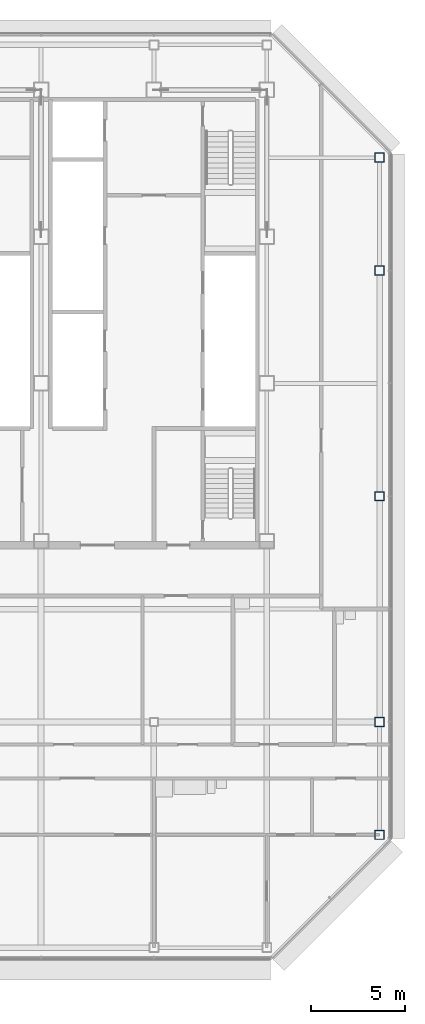
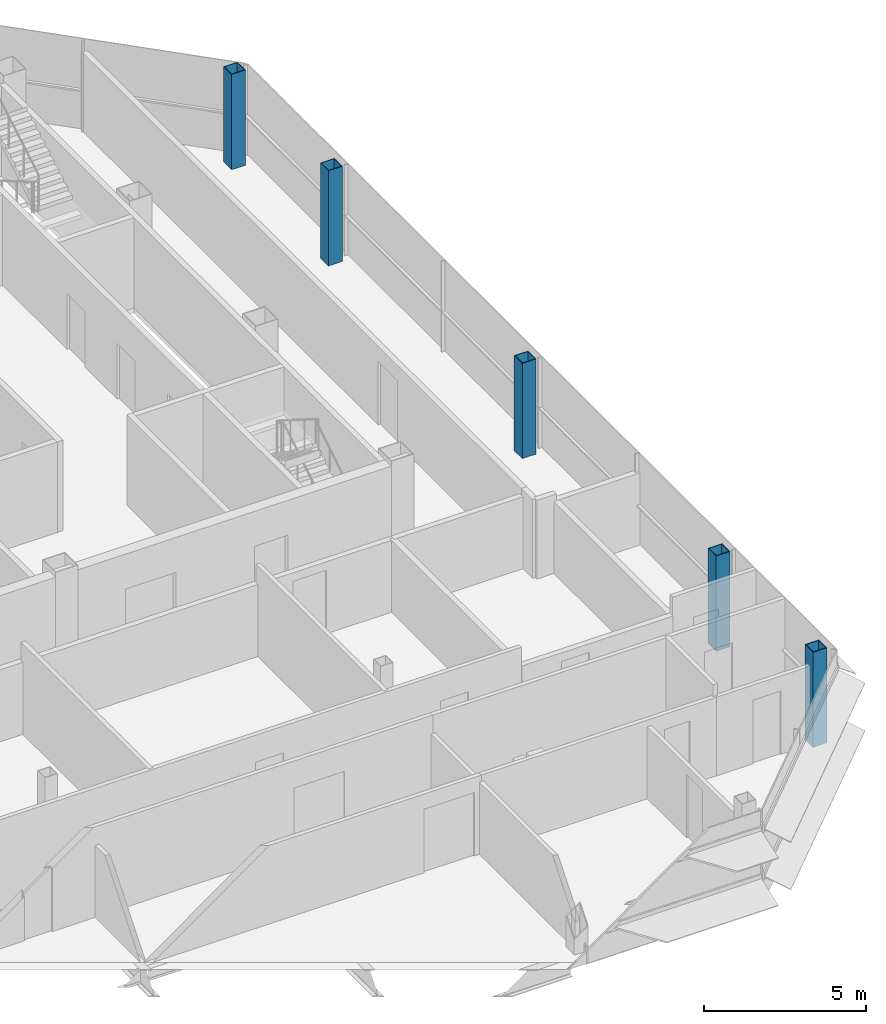
# One storey, part 3 of 27: 5 columns.
"""IFC4 building model written with IfcOpenShell, lengths in metres."""

import ifcopenshell
import ifcopenshell.guid

model = None  # the IFC model being written
_history = None  # IfcOwnerHistory: only IFC2X3 demands one
_inside = {}  # id of a spatial element -> (the spatial element, [elements in it])
_under = {}  # id of a project, library or spatial element -> (it, [spatial elements below it])
_declared = {}  # id of a project -> (the project, [libraries it declares])
_typed = {}  # id of a type object -> (the type object, [elements of that type])
_made_of = {}  # id of a material, layer set ... -> (it, [elements and type objects made of it])


def new_model(schema):
    """Start an empty IFC model of exactly this schema.

    Asked for "IFC4X3", IfcOpenShell would pick the latest addendum, in which some entities
    have other attributes; the version numbers below select the first issue.
    IFC2X3 requires an IfcOwnerHistory on every rooted entity: one is made here for all.
    """
    global model, _history
    if schema == "IFC4X3":
        model = ifcopenshell.file(schema_version=(4, 3, 0, 0))
    else:
        model = ifcopenshell.file(schema=schema)
    _inside.clear()
    _under.clear()
    _declared.clear()
    _typed.clear()
    _made_of.clear()
    _history = None
    if model.schema == "IFC2X3":
        org = make("IfcOrganization", Name="unknown")
        user = make(
            "IfcPersonAndOrganization",
            ThePerson=make("IfcPerson", FamilyName="unknown"),
            TheOrganization=org,
        )
        app = make(
            "IfcApplication",
            ApplicationDeveloper=org,
            Version="unknown",
            ApplicationFullName="unknown",
            ApplicationIdentifier="unknown",
        )
        _history = make(
            "IfcOwnerHistory",
            OwningUser=user,
            OwningApplication=app,
            ChangeAction="ADDED",
            CreationDate=0,
        )
    return model


def make(cls, **values):
    """One entity of the class cls with the attributes given. An attribute that is None is left unset."""
    return model.create_entity(
        cls, **{name: value for name, value in values.items() if value is not None}
    )


def rooted(cls, **values):
    """An entity with a GlobalId (a new one), such as an element, a storey or a relation."""
    return make(cls, GlobalId=ifcopenshell.guid.new(), OwnerHistory=_history, **values)


def si_unit(unit_type, name, prefix=None):
    """IfcSIUnit, for example si_unit("LENGTHUNIT", "METRE", prefix="MILLI")."""
    return make("IfcSIUnit", UnitType=unit_type, Prefix=prefix, Name=name)


def assignment(units):
    """IfcUnitAssignment: the units of a project."""
    return None if units is None else make("IfcUnitAssignment", Units=units)


def point(xyz):
    """IfcCartesianPoint."""
    return None if xyz is None else make("IfcCartesianPoint", Coordinates=xyz)


def direction(xyz):
    """IfcDirection."""
    return None if xyz is None else make("IfcDirection", DirectionRatios=xyz)


def frame(location, z_axis=None, x_axis=None):
    """IfcAxis2Placement3D, a coordinate frame: its origin and axes. An axis left out is left unset."""
    return make(
        "IfcAxis2Placement3D",
        Location=point(location),
        Axis=direction(z_axis),
        RefDirection=direction(x_axis),
    )


def frame_2d(location, x_axis=None):
    """IfcAxis2Placement2D, a coordinate frame in the plane: its origin and x axis."""
    return make(
        "IfcAxis2Placement2D", Location=point(location), RefDirection=direction(x_axis)
    )


def origin():
    """The frame at (0, 0, 0) with its axes left unset."""
    return frame((0.0, 0.0, 0.0))


def origin_2d():
    """The frame at (0, 0) in the plane with its x axis left unset."""
    return frame_2d((0.0, 0.0))


def place(relative_to, where):
    """IfcLocalPlacement: puts the frame where relative to a parent placement (None: the world)."""
    return make(
        "IfcLocalPlacement", PlacementRelTo=relative_to, RelativePlacement=where
    )


def context(
    kind, dimensions, precision=None, world=None, true_north=None, identifier=None
):
    """IfcGeometricRepresentationContext, for example the 3D "Model" context."""
    return make(
        "IfcGeometricRepresentationContext",
        ContextIdentifier=identifier,
        ContextType=kind,
        CoordinateSpaceDimension=dimensions,
        Precision=precision,
        WorldCoordinateSystem=world,
        TrueNorth=true_north,
    )


def subcontext(parent, identifier, kind, view, scale=None):
    """IfcGeometricRepresentationSubContext, for example "Body" below "Model"."""
    return make(
        "IfcGeometricRepresentationSubContext",
        ContextIdentifier=identifier,
        ContextType=kind,
        ParentContext=parent,
        TargetScale=scale,
        TargetView=view,
    )


def project(units=None, contexts=None):
    """IfcProject with its units and contexts."""
    return rooted(
        "IfcProject",
        Name="project",
        RepresentationContexts=contexts,
        UnitsInContext=assignment(units),
    )


def spatial(cls, under=None, at=None, **own):
    """A site, building, storey or space (cls), placed at a placement, below another one or the project."""
    s = rooted(cls, ObjectPlacement=at, **own)
    if under is not None:
        _under.setdefault(under.id(), (under, []))[1].append(s)
    return s


def profile(cls, at=None, kind="AREA", **sizes):
    """A parametric profile (cls). Its sizes go by their IFC names, for example OverallWidth=200.0."""
    return make(cls, ProfileType=kind, Position=at, **sizes)


def hollow_rectangle(**sizes):
    """IfcRectangleHollowProfileDef."""
    return profile("IfcRectangleHollowProfileDef", **sizes)


def extrude(swept, where, along, depth):
    """IfcExtrudedAreaSolid: the profile swept, set in the frame where, extruded along a direction by depth."""
    return make(
        "IfcExtrudedAreaSolid",
        SweptArea=swept,
        Position=where,
        ExtrudedDirection=direction(along),
        Depth=depth,
    )


def shape(context_of_items, identifier, shape_type, items):
    """IfcShapeRepresentation: the items that make up one representation, for example the "Body"."""
    return make(
        "IfcShapeRepresentation",
        ContextOfItems=context_of_items,
        RepresentationIdentifier=identifier,
        RepresentationType=shape_type,
        Items=items,
    )


def material(Name=None, Category=None):
    """IfcMaterial."""
    return make("IfcMaterial", Name=Name, Category=Category)


def material_profile(
    of_material, cross_section, Name=None, Category=None, Priority=None
):
    """IfcMaterialProfile: a cross section and its material."""
    return make(
        "IfcMaterialProfile",
        Name=Name,
        Material=of_material,
        Profile=cross_section,
        Priority=Priority,
        Category=Category,
    )


def profile_set(profiles, Name=None, composite=None):
    """IfcMaterialProfileSet."""
    return make(
        "IfcMaterialProfileSet",
        Name=Name,
        MaterialProfiles=profiles,
        CompositeProfile=composite,
    )


def made_of(thing, what):
    """Note that an element or type object is made of a material, layer set ...; save() writes the relation."""
    if what is not None:
        _made_of.setdefault(what.id(), (what, []))[1].append(thing)
    return thing


def type_object(cls, material=None, **own):
    """A type object (cls), such as IfcWallType, which elements share."""
    return made_of(rooted(cls, **own), material)


def element(
    cls,
    number,
    at=None,
    inside=None,
    cuts=None,
    type_object=None,
    material=None,
    context=None,
    identifier="Body",
    shape_type=None,
    held_by="IfcProductDefinitionShape",
    body=None,
    shapes=None,
    **own,
):
    """One element of the class cls, such as IfcWall. Its Tag is "e" and its number.

    at: its placement. inside: the storey or other place that contains it. cuts: it is an
    opening in that element (IfcRelVoidsElement). A single representation is given by context,
    identifier, shape_type and body (its items); several are given by shapes. held_by: the class
    of the entity that holds the representations. save() writes the other relations.
    """
    e = rooted(cls, Tag="e%d" % number, ObjectPlacement=at, **own)
    if body is not None:
        shapes = [shape(context, identifier, shape_type, body)]
    if shapes is not None:
        e.Representation = make(held_by, Representations=shapes)
    if inside is not None:
        _inside.setdefault(inside.id(), (inside, []))[1].append(e)
    if cuts is not None:
        rooted(
            "IfcRelVoidsElement", RelatingBuildingElement=cuts, RelatedOpeningElement=e
        )
    if type_object is not None:
        _typed.setdefault(type_object.id(), (type_object, []))[1].append(e)
    return made_of(e, material)


def aggregate(whole, parts):
    """IfcRelAggregates: a whole, such as a stair, and the parts it consists of."""
    return rooted("IfcRelAggregates", RelatingObject=whole, RelatedObjects=parts)


def save(model, path):
    """Write the relations noted so far, then the file.

    IfcRelAggregates (storeys below a building ...), IfcRelContainedInSpatialStructure (elements
    in a storey), IfcRelDefinesByType, IfcRelAssociatesMaterial and IfcRelDeclares: one each for
    every whole, place, type object, material and project.
    """
    for whole, parts in _under.values():
        aggregate(whole, parts)
    for where, things in _inside.values():
        rooted(
            "IfcRelContainedInSpatialStructure",
            RelatedElements=things,
            RelatingStructure=where,
        )
    for kind, things in _typed.values():
        rooted("IfcRelDefinesByType", RelatedObjects=things, RelatingType=kind)
    for what, things in _made_of.values():
        rooted("IfcRelAssociatesMaterial", RelatedObjects=things, RelatingMaterial=what)
    for by, libraries in _declared.values():
        rooted("IfcRelDeclares", RelatingContext=by, RelatedDefinitions=libraries)
    model.write(path)


model = new_model("IFC4")

# Units and contexts
model_context = context("Model", 3, precision=1e-05, world=origin(), true_north=direction((0.0, 1.0)))
body_context = subcontext(model_context, "Body", "Model", "MODEL_VIEW")
ifc_project = project(units=[si_unit("LENGTHUNIT", "METRE"), si_unit("AREAUNIT", "SQUARE_METRE"), si_unit("VOLUMEUNIT", "CUBIC_METRE"), si_unit("PLANEANGLEUNIT", "RADIAN"), si_unit("MASSUNIT", "GRAM", prefix="KILO")], contexts=[model_context])

# Site, building, storey
site_placement = place(None, origin())
site = spatial("IfcSite", under=ifc_project, at=site_placement, CompositionType="ELEMENT")
building_placement = place(site_placement, origin())
building = spatial("IfcBuilding", under=site, at=building_placement, Name="Sorahane Residences", CompositionType="ELEMENT")
storey_placement = place(building_placement, frame((0.0, 0.0, 312.39990234375)))
storey = spatial("IfcBuildingStorey", under=building, at=storey_placement, Name="L74", CompositionType="ELEMENT", Elevation=312.39990234375)

# Columns
ifc_material = material(Name="Steel Q355B", Category="steel")
ifc_material_profile = material_profile(ifc_material, hollow_rectangle(XDim=0.5, YDim=0.5, WallThickness=0.02490234375, at=origin_2d()), Name="BOX 500x500x25")
ifc_profile_set = profile_set([ifc_material_profile], Name="Steel Q355B")
column_type = type_object("IfcColumnType", Name="Steel box column BOX 500x500x25 Q355B", PredefinedType="COLUMN", material=ifc_profile_set)
for number, where, z_axis, x_axis, name in (
    (1, (48.0, 6.0, 0.0), (0.0, 0.0, 1.0), (1.0, 0.0, 0.0), "Column L74 48/6"),
    (2, (48.0, 12.0, 0.0), (0.0, 0.0, 1.0), (1.0, 0.0, 0.0), "Column L74 48/12"),
    (3, (48.0, 24.0, 0.0), (0.0, 0.0, 1.0), (1.0, 0.0, 0.0), "Column L74 48/24"),
    (4, (48.0, 36.0, 0.0), (0.0, 0.0, 1.0), (1.0, 0.0, 0.0), "Column L74 48/36"),
    (5, (48.0, 42.0, 0.0), (0.0, 0.0, 1.0), (1.0, 0.0, 0.0), "Column L74 48/42"),
):
    element("IfcColumn", number, at=place(storey_placement, frame(where, z_axis=z_axis, x_axis=x_axis)), inside=storey, type_object=column_type, Name=name, PredefinedType="COLUMN", context=body_context, shape_type="SweptSolid", body=[
        extrude(hollow_rectangle(XDim=0.5, YDim=0.5, WallThickness=0.02490234375, at=origin_2d()), origin(), (0.0, 0.0, 1.0), 3.60009765625),
    ])

save(model, "model.ifc")
